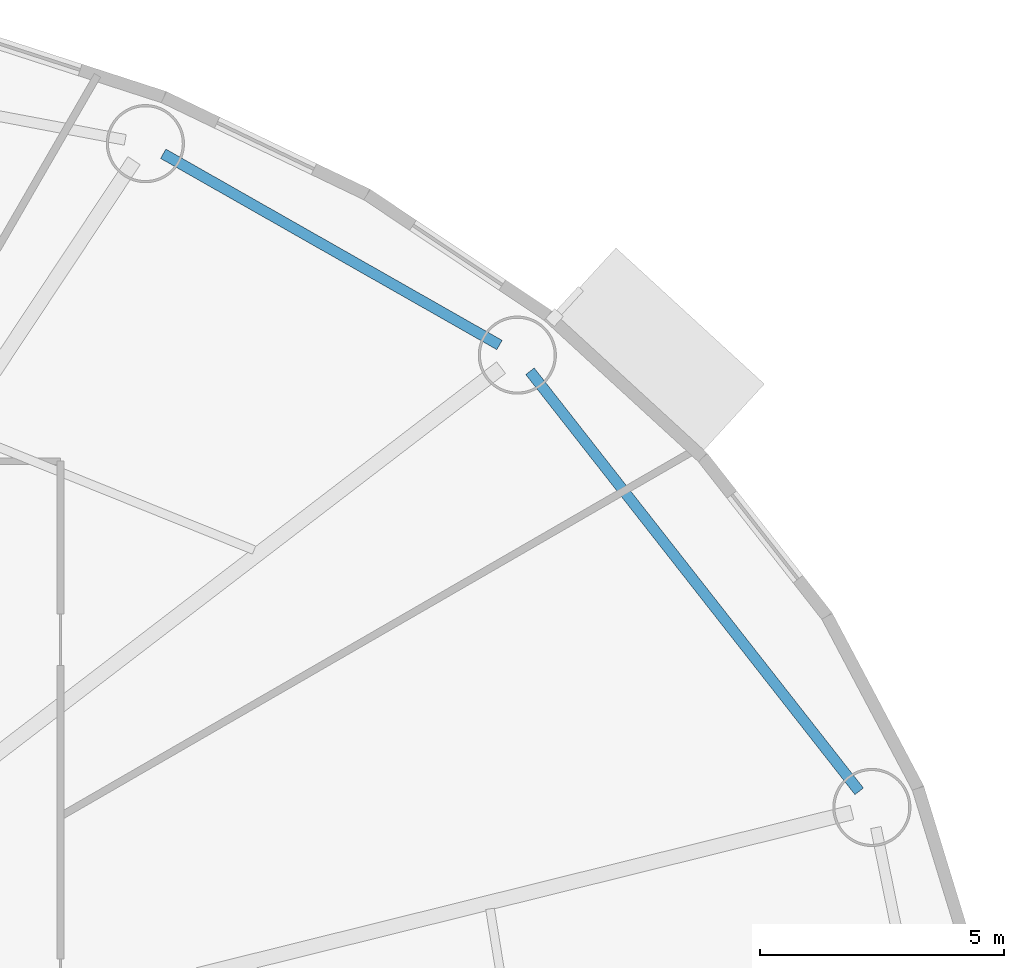
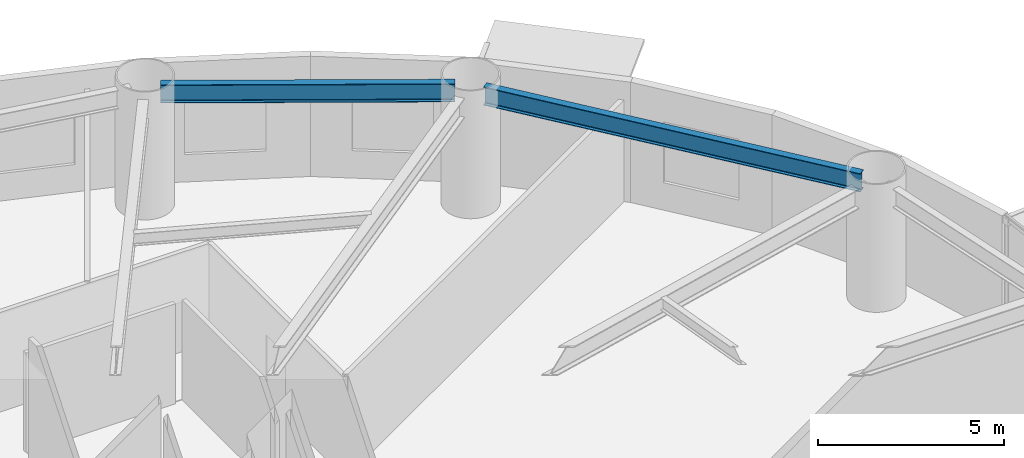
# One storey, part 13 of 32: 2 beams.
"""IFC4 building model written with IfcOpenShell, lengths in metres."""

from ifc_helpers import new_model, si_unit, direction, frame, origin, origin_2d, place, context, subcontext, project, spatial, i_section, extrude, material, material_profile, profile_set, type_object, element, save


model = new_model("IFC4")

# Units and contexts
model_context = context("Model", 3, precision=1e-05, world=origin(), true_north=direction((0.0, 1.0)))
body_context = subcontext(model_context, "Body", "Model", "MODEL_VIEW")
ifc_project = project(units=[si_unit("LENGTHUNIT", "METRE"), si_unit("AREAUNIT", "SQUARE_METRE"), si_unit("VOLUMEUNIT", "CUBIC_METRE"), si_unit("PLANEANGLEUNIT", "RADIAN"), si_unit("MASSUNIT", "GRAM", prefix="KILO")], contexts=[model_context])

# Site, building, storey
site_placement = place(None, origin())
site = spatial("IfcSite", under=ifc_project, at=site_placement, CompositionType="ELEMENT")
building_placement = place(site_placement, origin())
building = spatial("IfcBuilding", under=site, at=building_placement, Name="Linh Dai School and Residence Tower", CompositionType="ELEMENT")
storey_placement = place(building_placement, frame((0.0, 0.0, 40.800048828125)))
storey = spatial("IfcBuildingStorey", under=building, at=storey_placement, Name="L09", CompositionType="ELEMENT", Elevation=40.800048828125)

# Beams
ifc_material = material(Name="Structural Steel S355JR", Category="steel")
ifc_material_profile = material_profile(ifc_material, i_section(OverallWidth=0.219970703125, OverallDepth=0.60009765625, WebThickness=0.011962890625, FlangeThickness=0.01904296875, FilletRadius=0.02392578125, at=origin_2d()), Name="IPE 600")
ifc_profile_set = profile_set([ifc_material_profile], Name="Structural Steel S355JR")
beam_type = type_object("IfcBeamType", Name="BM-RB60", PredefinedType="BEAM", material=ifc_profile_set)
beam_1_placement = place(storey_placement, frame((64.351806640625, 34.439208984375, 3.64990234375), z_axis=(-0.616878670407, 0.787058260866, 0.0), x_axis=(-0.787058260866, -0.616878670407, 0.0)))
element("IfcBeam", 1, at=beam_1_placement, inside=storey, type_object=beam_type, Name="L09 Perimeter Elliptical Ring Beam 02", PredefinedType="BEAM", context=body_context, shape_type="SweptSolid", body=[
    extrude(i_section(OverallWidth=0.219970703125, OverallDepth=0.60009765625, WebThickness=0.011962890625, FlangeThickness=0.01904296875, FilletRadius=0.02392578125, at=origin_2d()), origin(), (0.0, 0.0, 1.0), 10.926025390625),
])
beam_2_placement = place(storey_placement, frame((56.987548828125, 43.57666015625, 3.64990234375), z_axis=(-0.869271416992, 0.494335112653, 0.0), x_axis=(-0.494335112653, -0.869271416992, 0.0)))
element("IfcBeam", 2, at=beam_2_placement, inside=storey, type_object=beam_type, Name="L09 Perimeter Elliptical Ring Beam 03", PredefinedType="BEAM", context=body_context, shape_type="SweptSolid", body=[
    extrude(i_section(OverallWidth=0.219970703125, OverallDepth=0.60009765625, WebThickness=0.011962890625, FlangeThickness=0.01904296875, FilletRadius=0.02392578125, at=origin_2d()), origin(), (0.0, 0.0, 1.0), 7.91943359375),
])

save(model, "model.ifc")
